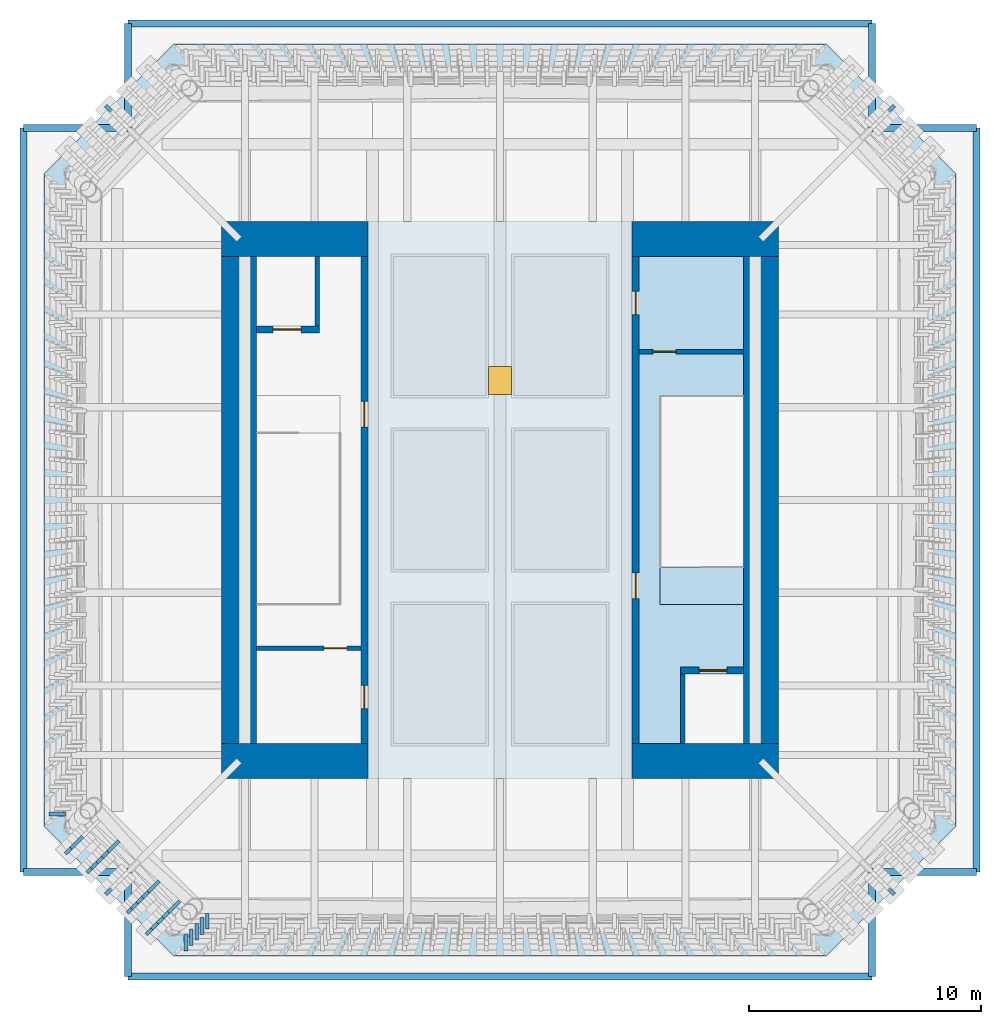
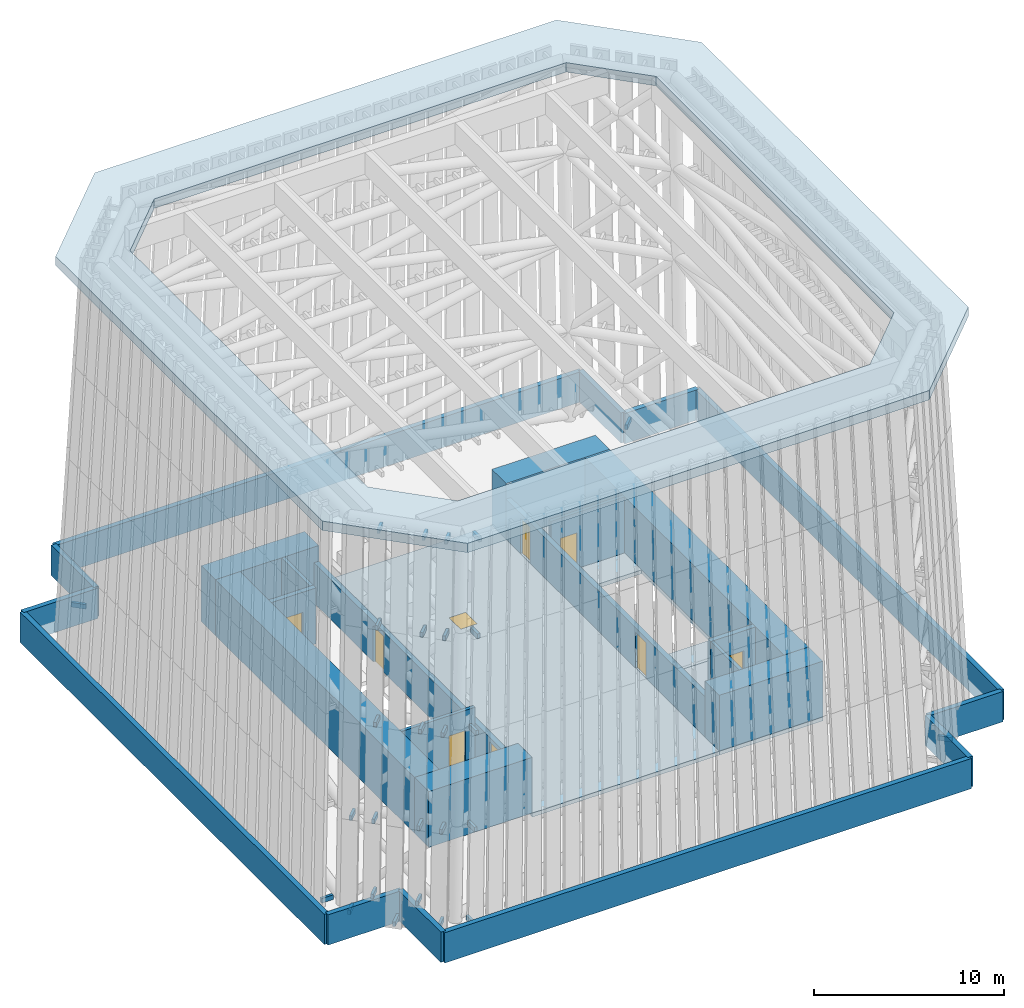
# One storey, part 3 of 13: 27 discrete accessories, 26 walls, 8 doors, 4 slabs, 1 window, 9 openings.
"""IFC4 building model written with IfcOpenShell, lengths in metres."""

from ifc_helpers import new_model, si_unit, direction, frame, frame_2d, origin, origin_2d, place, context, subcontext, project, spatial, polyline, rectangle, outline, extrude, source, transform, mapped, material, layer, layer_set, type_object, element, fill, save


model = new_model("IFC4")

# Units and contexts
model_context = context("Model", 3, precision=1e-05, world=origin(), true_north=direction((0.0, 1.0)))
body_context = subcontext(model_context, "Body", "Model", "MODEL_VIEW")
ifc_project = project(units=[si_unit("LENGTHUNIT", "METRE"), si_unit("AREAUNIT", "SQUARE_METRE"), si_unit("VOLUMEUNIT", "CUBIC_METRE"), si_unit("PLANEANGLEUNIT", "RADIAN"), si_unit("MASSUNIT", "GRAM", prefix="KILO")], contexts=[model_context])

# Site, building, storey
site_placement = place(None, origin())
site = spatial("IfcSite", under=ifc_project, at=site_placement, CompositionType="ELEMENT")
building_placement = place(site_placement, origin())
building = spatial("IfcBuilding", under=site, at=building_placement, Name="Peilmerk Tower", CompositionType="ELEMENT")
storey_placement = place(building_placement, frame((0.0, 0.0, 307.800048828125)))
storey = spatial("IfcBuildingStorey", under=building, at=storey_placement, Name="RF", CompositionType="ELEMENT", Elevation=307.800048828125)

# Slabs
ifc_material_1 = material(Name="Precast concrete C45/55", Category="concrete")
ifc_layer_1 = layer(ifc_material_1, 0.60009765625)
ifc_layer_set_1 = layer_set([ifc_layer_1], Name="Precast concrete C45/55")
slab_type_1 = type_object("IfcSlabType", Name="CR1 600 precast concrete cap ring", PredefinedType="USERDEFINED", material=ifc_layer_set_1)
slab_1_placement = place(storey_placement, frame((0.0, 0.0, 24.35546875)))
element("IfcSlab", 1, at=slab_1_placement, inside=storey, type_object=slab_type_1, Name="Crown cap ring CR1", ObjectType="CAP RING", PredefinedType="USERDEFINED", context=body_context, shape_type="SweptSolid", body=[
    extrude(outline(polyline([(14.060546875, 19.67333984375), (19.67333984375, 14.060546875), (19.67333984375, -14.060546875), (14.060546875, -19.67333984375), (-14.060546875, -19.67333984375), (-19.67333984375, -14.060546875), (-19.67333984375, 14.060546875), (-14.060546875, 19.67333984375), (14.060546875, 19.67333984375)]), holes=[polyline([(12.54638671875, 16.017822265625), (16.017822265625, 12.54638671875), (16.017822265625, -12.54638671875), (12.54638671875, -16.017822265625), (-12.54638671875, -16.017822265625), (-16.017822265625, -12.54638671875), (-16.017822265625, 12.54638671875), (-12.54638671875, 16.017822265625), (12.54638671875, 16.017822265625)])]), origin(), (0.0, 0.0, 1.0), 0.60009765625),
])
ifc_material_2 = material(Name="Concrete C55/67", Category="concrete")
ifc_layer_2 = layer(ifc_material_2, 0.25)
ifc_layer_set_2 = layer_set([ifc_layer_2], Name="Concrete C55/67")
slab_type_2 = type_object("IfcSlabType", Name="CS250 250 core floor slab", PredefinedType="FLOOR", material=ifc_layer_set_2)
slab_2_placement = place(storey_placement, frame((0.0, 0.0, -0.25)))
element("IfcSlab", 2, at=slab_2_placement, inside=storey, type_object=slab_type_2, Name="Stair 2 head-house floor slab", PredefinedType="FLOOR", context=body_context, shape_type="SweptSolid", body=[
    extrude(outline(polyline([(5.699951171875, 12.0), (5.699951171875, -12.0), (12.0, -12.0), (12.0, 12.0), (5.699951171875, 12.0)]), holes=[polyline([(6.89990234375, 4.5), (10.5, 4.5), (10.5, -4.5), (6.89990234375, -4.5), (6.89990234375, 4.5)]), polyline([(10.5, -7.5), (10.5, -10.5), (7.875, -10.5), (7.875, -7.5), (10.5, -7.5)])]), origin(), (0.0, 0.0, 1.0), 0.25),
])

# Slab, opening, window
ifc_material_3 = material(Name="Concrete C35/45", Category="concrete")
ifc_layer_3 = layer(ifc_material_3, 0.25)
ifc_layer_set_3 = layer_set([ifc_layer_3], Name="Concrete C35/45")
slab_type_3 = type_object("IfcSlabType", Name="RS250 250 roof slab", PredefinedType="ROOF", material=ifc_layer_set_3)
slab_3_placement = place(storey_placement, frame((0.0, 0.0, -0.25)))
slab_3 = element("IfcSlab", 3, at=slab_3_placement, inside=storey, type_object=slab_type_3, Name="Core roof slab", PredefinedType="ROOF", context=body_context, shape_type="SweptSolid", body=[
    extrude(outline(polyline([(5.699951171875, -12.0), (5.699951171875, 12.0), (-5.699951171875, 12.0), (-5.699951171875, -12.0), (5.699951171875, -12.0)])), origin(), (0.0, 0.0, 1.0), 0.25),
])
opening_1_placement = place(slab_3_placement, frame((0.0, 5.14990234375, 0.0)))
opening_1 = element("IfcOpeningElement", 4, at=opening_1_placement, cuts=slab_3, Name="Opening RH1", PredefinedType="OPENING", context=body_context, shape_type="SweptSolid", body=[
    extrude(rectangle(XDim=1.0, YDim=1.199951171875, at=origin_2d()), frame((0.0, 0.0, -0.010009765625)), (0.0, 0.0, 1.0), 0.27001953125),
])
ifc_material_4 = material(Name="Insulated aluminium hatch", Category="aluminium")
window_type = type_object("IfcWindowType", Name="RH1 1000x1200 roof access hatch", PartitioningType="SINGLE_PANEL", PredefinedType="NOTDEFINED", material=ifc_material_4)
window_placement = place(opening_1_placement, frame((0.0, 0.0, 0.199951171875)))
window = element("IfcWindow", 5, at=window_placement, inside=storey, type_object=window_type, Name="Roof access hatch", OverallHeight=1.199951171875, OverallWidth=1.0, PartitioningType="SINGLE_PANEL", PredefinedType="NOTDEFINED", context=body_context, shape_type="SweptSolid", body=[
    extrude(rectangle(XDim=1.0, YDim=1.199951171875, at=origin_2d()), origin(), (0.0, 0.0, 1.0), 0.050048828125),
])
fill(opening_1, window)

# Slab
ifc_layer_4 = layer(ifc_material_3, 0.25)
ifc_layer_set_4 = layer_set([ifc_layer_4], Name="Concrete C35/45")
slab_type_4 = type_object("IfcSlabType", Name="SL2 250 concrete floor landing", PredefinedType="LANDING", material=ifc_layer_set_4)
slab_4_placement = place(storey_placement, frame((0.0, 0.0, -0.25)))
element("IfcSlab", 6, at=slab_4_placement, inside=storey, type_object=slab_type_4, Name="ST2 top landing RF", PredefinedType="LANDING", context=body_context, shape_type="SweptSolid", body=[
    extrude(outline(polyline([(6.89990234375, -4.5), (10.5, -4.5), (10.5, -2.89990234375), (6.89990234375, -2.89990234375), (6.89990234375, -4.5)])), origin(), (0.0, 0.0, 1.0), 0.25),
])

# Wall, opening, door
ifc_material_5 = material(Name="Calcium silicate block", Category="masonry")
ifc_layer_5 = layer(ifc_material_5, 0.199951171875)
ifc_layer_set_5 = layer_set([ifc_layer_5], Name="Calcium silicate block")
wall_type_1 = type_object("IfcWallType", Name="IW2 200 room separating wall, EI 120", PredefinedType="PARTITIONING", material=ifc_layer_set_5)
wall_1_placement = place(storey_placement, frame((-10.5, -6.39990234375, 0.0), z_axis=(0.0, 0.0, 1.0), x_axis=(1.0, 0.0, 0.0)))
wall_1 = element("IfcWall", 7, at=wall_1_placement, inside=storey, type_object=wall_type_1, Name="Room separating wall RF", PredefinedType="PARTITIONING", context=body_context, shape_type="SweptSolid", body=[
    extrude(rectangle(XDim=4.5, YDim=0.199951171875, at=frame_2d((2.25, 0.0))), origin(), (0.0, 0.0, 1.0), 3.599853515625),
])
opening_2_placement = place(wall_1_placement, frame((2.89990234375, 0.0, 0.0)))
opening_2 = element("IfcOpeningElement", 8, at=opening_2_placement, cuts=wall_1, Name="Opening D10", PredefinedType="OPENING", context=body_context, shape_type="SweptSolid", body=[
    extrude(rectangle(XDim=1.0, YDim=2.300048828125, at=frame_2d((0.5, 1.14990234375))), frame((0.0, 0.10986328125, 0.0), z_axis=(0.0, -1.0, 0.0), x_axis=(1.0, 0.0, 0.0)), (0.0, 0.0, 1.0), 0.219970703125),
])
ifc_material_6 = material(Name="Steel door in steel frame", Category="steel")
door_type_1 = type_object("IfcDoorType", Name="D10 1000x2300 core room door, EI2 60", OperationType="SINGLE_SWING_RIGHT", PredefinedType="DOOR", material=ifc_material_6)
door_1_placement = place(opening_2_placement, frame((1.0, 0.0, 0.0), z_axis=(0.0, 0.0, 1.0), x_axis=(-1.0, 0.0, 0.0)))
door_1 = element("IfcDoor", 9, at=door_1_placement, inside=storey, type_object=door_type_1, Name="Roof plant maintenance room door RF", OperationType="SINGLE_SWING_RIGHT", OverallHeight=2.300048828125, OverallWidth=1.0, PredefinedType="DOOR", context=body_context, shape_type="SweptSolid", body=[
    extrude(rectangle(XDim=1.0, YDim=2.300048828125, at=frame_2d((0.5, 1.14990234375))), frame((0.0, 0.02490234375, 0.0), z_axis=(0.0, -1.0, 0.0), x_axis=(1.0, 0.0, 0.0)), (0.0, 0.0, 1.0), 0.050048828125),
])
fill(opening_2, door_1)

wall_2_placement = place(storey_placement, frame((6.0, 6.39990234375, 0.0), z_axis=(0.0, 0.0, 1.0), x_axis=(1.0, 0.0, 0.0)))
wall_2 = element("IfcWall", 10, at=wall_2_placement, inside=storey, type_object=wall_type_1, Name="Room separating wall RF", PredefinedType="PARTITIONING", context=body_context, shape_type="SweptSolid", body=[
    extrude(rectangle(XDim=4.5, YDim=0.199951171875, at=frame_2d((2.25, 0.0))), origin(), (0.0, 0.0, 1.0), 3.599853515625),
])
opening_3_placement = place(wall_2_placement, frame((0.60009765625, 0.0, 0.0)))
opening_3 = element("IfcOpeningElement", 11, at=opening_3_placement, cuts=wall_2, Name="Opening D10", PredefinedType="OPENING", context=body_context, shape_type="SweptSolid", body=[
    extrude(rectangle(XDim=1.0, YDim=2.300048828125, at=frame_2d((0.5, 1.14990234375))), frame((0.0, 0.10986328125, 0.0), z_axis=(0.0, -1.0, 0.0), x_axis=(1.0, 0.0, 0.0)), (0.0, 0.0, 1.0), 0.219970703125),
])
door_2_placement = place(opening_3_placement, origin())
door_2 = element("IfcDoor", 12, at=door_2_placement, inside=storey, type_object=door_type_1, Name="Roof plant maintenance room door RF", OperationType="SINGLE_SWING_RIGHT", OverallHeight=2.300048828125, OverallWidth=1.0, PredefinedType="DOOR", context=body_context, shape_type="SweptSolid", body=[
    extrude(rectangle(XDim=1.0, YDim=2.300048828125, at=frame_2d((0.5, 1.14990234375))), frame((0.0, 0.02490234375, 0.0), z_axis=(0.0, -1.0, 0.0), x_axis=(1.0, 0.0, 0.0)), (0.0, 0.0, 1.0), 0.050048828125),
])
fill(opening_3, door_2)

# Wall, openings, doors
ifc_layer_6 = layer(ifc_material_5, 0.300048828125)
ifc_layer_set_6 = layer_set([ifc_layer_6], Name="Calcium silicate block")
wall_type_2 = type_object("IfcWallType", Name="IW6 300 stair head-house inner wall, EI 120", PredefinedType="PARTITIONING", material=ifc_layer_set_6)
wall_3_placement = place(storey_placement, frame((-5.85009765625, -10.5, 0.0), z_axis=(0.0, 0.0, 1.0), x_axis=(0.0, 1.0, 0.0)))
wall_3 = element("IfcWall", 13, at=wall_3_placement, inside=storey, type_object=wall_type_2, Name="Stair 1 head-house wall RF", PredefinedType="PARTITIONING", context=body_context, shape_type="SweptSolid", body=[
    extrude(rectangle(XDim=21.0, YDim=0.300048828125, at=frame_2d((10.5, 0.0))), origin(), (0.0, 0.0, 1.0), 2.592041015625),
])
opening_4_placement = place(wall_3_placement, frame((13.64990234375, 0.0, 0.0)))
opening_4 = element("IfcOpeningElement", 14, at=opening_4_placement, cuts=wall_3, Name="Opening D4", PredefinedType="OPENING", context=body_context, shape_type="SweptSolid", body=[
    extrude(rectangle(XDim=1.10009765625, YDim=2.300048828125, at=frame_2d((0.550048828125, 1.14990234375))), frame((0.0, 0.159912109375, 0.0), z_axis=(0.0, -1.0, 0.0), x_axis=(1.0, 0.0, 0.0)), (0.0, 0.0, 1.0), 0.320068359375),
])
opening_5_placement = place(wall_3_placement, frame((1.5, 0.0, 0.0)))
opening_5 = element("IfcOpeningElement", 15, at=opening_5_placement, cuts=wall_3, Name="Opening ED6", PredefinedType="OPENING", context=body_context, shape_type="SweptSolid", body=[
    extrude(rectangle(XDim=1.0, YDim=2.300048828125, at=frame_2d((0.5, 1.14990234375))), frame((0.0, 0.159912109375, 0.0), z_axis=(0.0, -1.0, 0.0), x_axis=(1.0, 0.0, 0.0)), (0.0, 0.0, 1.0), 0.320068359375),
])
door_type_2 = type_object("IfcDoorType", Name="D4 1100x2300 stair door, EI2 60", OperationType="SINGLE_SWING_RIGHT", PredefinedType="DOOR", material=ifc_material_6)
door_3_placement = place(opening_4_placement, origin())
door_3 = element("IfcDoor", 16, at=door_3_placement, inside=storey, type_object=door_type_2, Name="Stair 1 roof door RF", OperationType="SINGLE_SWING_RIGHT", OverallHeight=2.300048828125, OverallWidth=1.10009765625, PredefinedType="DOOR", context=body_context, shape_type="SweptSolid", body=[
    extrude(rectangle(XDim=1.10009765625, YDim=2.300048828125, at=frame_2d((0.550048828125, 1.14990234375))), frame((0.0, 0.02490234375, 0.0), z_axis=(0.0, -1.0, 0.0), x_axis=(1.0, 0.0, 0.0)), (0.0, 0.0, 1.0), 0.050048828125),
])
fill(opening_4, door_3)
ifc_material_7 = material(Name="Insulated steel door in steel frame, weather-stripped, with a raised threshold", Category="steel")
door_type_3 = type_object("IfcDoorType", Name="ED6 1000x2300 roof maintenance door, weather-tight, EI2 60", OperationType="SINGLE_SWING_RIGHT", PredefinedType="DOOR", material=ifc_material_7)
door_4_placement = place(opening_5_placement, frame((1.0, 0.0, 0.0), z_axis=(0.0, 0.0, 1.0), x_axis=(-1.0, 0.0, 0.0)))
door_4 = element("IfcDoor", 17, at=door_4_placement, inside=storey, type_object=door_type_3, Name="Roof plant maintenance door RF", OperationType="SINGLE_SWING_RIGHT", OverallHeight=2.300048828125, OverallWidth=1.0, PredefinedType="DOOR", context=body_context, shape_type="SweptSolid", body=[
    extrude(rectangle(XDim=1.0, YDim=2.300048828125, at=frame_2d((0.5, 1.14990234375))), frame((0.0, 0.02490234375, 0.0), z_axis=(0.0, -1.0, 0.0), x_axis=(1.0, 0.0, 0.0)), (0.0, 0.0, 1.0), 0.050048828125),
])
fill(opening_5, door_4)

wall_4_placement = place(storey_placement, frame((5.85009765625, -10.5, 0.0), z_axis=(0.0, 0.0, 1.0), x_axis=(0.0, 1.0, 0.0)))
wall_4 = element("IfcWall", 18, at=wall_4_placement, inside=storey, type_object=wall_type_2, Name="Stair 2 head-house wall RF", PredefinedType="PARTITIONING", context=body_context, shape_type="SweptSolid", body=[
    extrude(rectangle(XDim=21.0, YDim=0.300048828125, at=frame_2d((10.5, 0.0))), origin(), (0.0, 0.0, 1.0), 2.592041015625),
])
opening_6_placement = place(wall_4_placement, frame((6.25, 0.0, 0.0)))
opening_6 = element("IfcOpeningElement", 19, at=opening_6_placement, cuts=wall_4, Name="Opening D4", PredefinedType="OPENING", context=body_context, shape_type="SweptSolid", body=[
    extrude(rectangle(XDim=1.10009765625, YDim=2.300048828125, at=frame_2d((0.550048828125, 1.14990234375))), frame((0.0, 0.159912109375, 0.0), z_axis=(0.0, -1.0, 0.0), x_axis=(1.0, 0.0, 0.0)), (0.0, 0.0, 1.0), 0.320068359375),
])
opening_7_placement = place(wall_4_placement, frame((18.5, 0.0, 0.0)))
opening_7 = element("IfcOpeningElement", 20, at=opening_7_placement, cuts=wall_4, Name="Opening ED6", PredefinedType="OPENING", context=body_context, shape_type="SweptSolid", body=[
    extrude(rectangle(XDim=1.0, YDim=2.300048828125, at=frame_2d((0.5, 1.14990234375))), frame((0.0, 0.159912109375, 0.0), z_axis=(0.0, -1.0, 0.0), x_axis=(1.0, 0.0, 0.0)), (0.0, 0.0, 1.0), 0.320068359375),
])
door_5_placement = place(opening_6_placement, frame((1.10009765625, 0.0, 0.0), z_axis=(0.0, 0.0, 1.0), x_axis=(-1.0, 0.0, 0.0)))
door_5 = element("IfcDoor", 21, at=door_5_placement, inside=storey, type_object=door_type_2, Name="Stair 2 roof door RF", OperationType="SINGLE_SWING_RIGHT", OverallHeight=2.300048828125, OverallWidth=1.10009765625, PredefinedType="DOOR", context=body_context, shape_type="SweptSolid", body=[
    extrude(rectangle(XDim=1.10009765625, YDim=2.300048828125, at=frame_2d((0.550048828125, 1.14990234375))), frame((0.0, 0.02490234375, 0.0), z_axis=(0.0, -1.0, 0.0), x_axis=(1.0, 0.0, 0.0)), (0.0, 0.0, 1.0), 0.050048828125),
])
fill(opening_6, door_5)
door_6_placement = place(opening_7_placement, origin())
door_6 = element("IfcDoor", 22, at=door_6_placement, inside=storey, type_object=door_type_3, Name="Roof plant maintenance door RF", OperationType="SINGLE_SWING_RIGHT", OverallHeight=2.300048828125, OverallWidth=1.0, PredefinedType="DOOR", context=body_context, shape_type="SweptSolid", body=[
    extrude(rectangle(XDim=1.0, YDim=2.300048828125, at=frame_2d((0.5, 1.14990234375))), frame((0.0, 0.02490234375, 0.0), z_axis=(0.0, -1.0, 0.0), x_axis=(1.0, 0.0, 0.0)), (0.0, 0.0, 1.0), 0.050048828125),
])
fill(opening_7, door_6)

# Walls
ifc_layer_7 = layer(ifc_material_1, 0.300048828125)
ifc_layer_set_7 = layer_set([ifc_layer_7], Name="Precast concrete C45/55")
wall_type_3 = type_object("IfcWallType", Name="PW1 300 precast roof parapet, 1200 above the roof", PredefinedType="PARAPET", material=ifc_layer_set_7)
for number, where, z_axis, x_axis, name in (
    (23, (16.050048828125, -20.550048828125, -0.75), (0.0, 0.0, 1.0), (0.0, 1.0, 0.0), "Roof parapet"),
    (24, (16.050048828125, -16.050048828125, -0.75), (0.0, 0.0, 1.0), (1.0, 0.0, 0.0), "Roof parapet"),
):
    element("IfcWall", number, at=place(storey_placement, frame(where, z_axis=z_axis, x_axis=x_axis)), inside=storey, type_object=wall_type_3, Name=name, PredefinedType="PARAPET", context=body_context, shape_type="SweptSolid", body=[
        extrude(rectangle(XDim=4.5, YDim=0.300048828125, at=frame_2d((2.25, 0.0))), origin(), (0.0, 0.0, 1.0), 1.949951171875),
    ])
wall_5_placement = place(storey_placement, frame((20.550048828125, -16.050048828125, -0.75), z_axis=(0.0, 0.0, 1.0), x_axis=(0.0, 1.0, 0.0)))
element("IfcWall", 25, at=wall_5_placement, inside=storey, type_object=wall_type_3, Name="Roof parapet", PredefinedType="PARAPET", context=body_context, shape_type="SweptSolid", body=[
    extrude(rectangle(XDim=32.10009765625, YDim=0.300048828125, at=frame_2d((16.050048828125, 0.0))), origin(), (0.0, 0.0, 1.0), 1.949951171875),
])
for number, where, z_axis, x_axis, name in (
    (26, (20.550048828125, 16.050048828125, -0.75), (0.0, 0.0, 1.0), (-1.0, 0.0, 0.0), "Roof parapet"),
    (27, (16.050048828125, 16.050048828125, -0.75), (0.0, 0.0, 1.0), (0.0, 1.0, 0.0), "Roof parapet"),
):
    element("IfcWall", number, at=place(storey_placement, frame(where, z_axis=z_axis, x_axis=x_axis)), inside=storey, type_object=wall_type_3, Name=name, PredefinedType="PARAPET", context=body_context, shape_type="SweptSolid", body=[
        extrude(rectangle(XDim=4.5, YDim=0.300048828125, at=frame_2d((2.25, 0.0))), origin(), (0.0, 0.0, 1.0), 1.949951171875),
    ])
wall_6_placement = place(storey_placement, frame((16.050048828125, 20.550048828125, -0.75), z_axis=(0.0, 0.0, 1.0), x_axis=(-1.0, 0.0, 0.0)))
element("IfcWall", 28, at=wall_6_placement, inside=storey, type_object=wall_type_3, Name="Roof parapet", PredefinedType="PARAPET", context=body_context, shape_type="SweptSolid", body=[
    extrude(rectangle(XDim=32.10009765625, YDim=0.300048828125, at=frame_2d((16.050048828125, 0.0))), origin(), (0.0, 0.0, 1.0), 1.949951171875),
])
for number, where, z_axis, x_axis, name in (
    (29, (-16.050048828125, 20.550048828125, -0.75), (0.0, 0.0, 1.0), (0.0, -1.0, 0.0), "Roof parapet"),
    (30, (-16.050048828125, 16.050048828125, -0.75), (0.0, 0.0, 1.0), (-1.0, 0.0, 0.0), "Roof parapet"),
):
    element("IfcWall", number, at=place(storey_placement, frame(where, z_axis=z_axis, x_axis=x_axis)), inside=storey, type_object=wall_type_3, Name=name, PredefinedType="PARAPET", context=body_context, shape_type="SweptSolid", body=[
        extrude(rectangle(XDim=4.5, YDim=0.300048828125, at=frame_2d((2.25, 0.0))), origin(), (0.0, 0.0, 1.0), 1.949951171875),
    ])
wall_7_placement = place(storey_placement, frame((-20.550048828125, 16.050048828125, -0.75), z_axis=(0.0, 0.0, 1.0), x_axis=(0.0, -1.0, 0.0)))
element("IfcWall", 31, at=wall_7_placement, inside=storey, type_object=wall_type_3, Name="Roof parapet", PredefinedType="PARAPET", context=body_context, shape_type="SweptSolid", body=[
    extrude(rectangle(XDim=32.10009765625, YDim=0.300048828125, at=frame_2d((16.050048828125, 0.0))), origin(), (0.0, 0.0, 1.0), 1.949951171875),
])
for number, where, z_axis, x_axis, name in (
    (32, (-20.550048828125, -16.050048828125, -0.75), (0.0, 0.0, 1.0), (1.0, 0.0, 0.0), "Roof parapet"),
    (33, (-16.050048828125, -16.050048828125, -0.75), (0.0, 0.0, 1.0), (0.0, -1.0, 0.0), "Roof parapet"),
):
    element("IfcWall", number, at=place(storey_placement, frame(where, z_axis=z_axis, x_axis=x_axis)), inside=storey, type_object=wall_type_3, Name=name, PredefinedType="PARAPET", context=body_context, shape_type="SweptSolid", body=[
        extrude(rectangle(XDim=4.5, YDim=0.300048828125, at=frame_2d((2.25, 0.0))), origin(), (0.0, 0.0, 1.0), 1.949951171875),
    ])
wall_8_placement = place(storey_placement, frame((-16.050048828125, -20.550048828125, -0.75), z_axis=(0.0, 0.0, 1.0), x_axis=(1.0, 0.0, 0.0)))
element("IfcWall", 34, at=wall_8_placement, inside=storey, type_object=wall_type_3, Name="Roof parapet", PredefinedType="PARAPET", context=body_context, shape_type="SweptSolid", body=[
    extrude(rectangle(XDim=32.10009765625, YDim=0.300048828125, at=frame_2d((16.050048828125, 0.0))), origin(), (0.0, 0.0, 1.0), 1.949951171875),
])
ifc_layer_8 = layer(ifc_material_5, 0.199951171875)
ifc_layer_set_8 = layer_set([ifc_layer_8], Name="Calcium silicate block")
wall_type_4 = type_object("IfcWallType", Name="SH1 200 shaft dividing wall, EI 120", PredefinedType="PARTITIONING", material=ifc_layer_set_8)
for number, where, z_axis, x_axis, name in (
    (35, (-7.875, 7.5, 0.0), (0.0, 0.0, 1.0), (0.0, 1.0, 0.0), "Shaft wall N FL1 RF"),
    (36, (7.875, -10.5, 0.0), (0.0, 0.0, 1.0), (0.0, 1.0, 0.0), "Shaft wall S FL2 RF"),
):
    element("IfcWall", number, at=place(storey_placement, frame(where, z_axis=z_axis, x_axis=x_axis)), inside=storey, type_object=wall_type_4, Name=name, PredefinedType="PARTITIONING", context=body_context, shape_type="SweptSolid", body=[
        extrude(rectangle(XDim=3.0, YDim=0.199951171875, at=frame_2d((1.5, 0.0))), origin(), (0.0, 0.0, 1.0), 3.599853515625),
    ])

# Wall, opening, door
ifc_layer_9 = layer(ifc_material_5, 0.300048828125)
ifc_layer_set_9 = layer_set([ifc_layer_9], Name="Calcium silicate block")
wall_type_5 = type_object("IfcWallType", Name="SH2 300 lift landing door panel, EI 120", PredefinedType="PARTITIONING", material=ifc_layer_set_9)
wall_9_placement = place(storey_placement, frame((-10.5, 7.35009765625, 0.0), z_axis=(0.0, 0.0, 1.0), x_axis=(1.0, 0.0, 0.0)))
wall_9 = element("IfcWall", 37, at=wall_9_placement, inside=storey, type_object=wall_type_5, Name="Lift door panel N FL1 RF", PredefinedType="PARTITIONING", context=body_context, shape_type="SweptSolid", body=[
    extrude(rectangle(XDim=2.72509765625, YDim=0.300048828125, at=frame_2d((1.362548828125, 0.0))), origin(), (0.0, 0.0, 1.0), 3.599853515625),
])
opening_8_placement = place(wall_9_placement, frame((0.71240234375, 0.0, 0.0)))
opening_8 = element("IfcOpeningElement", 38, at=opening_8_placement, cuts=wall_9, Name="Opening LD2", PredefinedType="OPENING", context=body_context, shape_type="SweptSolid", body=[
    extrude(rectangle(XDim=1.199951171875, YDim=2.300048828125, at=frame_2d((0.60009765625, 1.14990234375))), frame((0.0, 0.159912109375, 0.0), z_axis=(0.0, -1.0, 0.0), x_axis=(1.0, 0.0, 0.0)), (0.0, 0.0, 1.0), 0.320068359375),
])
ifc_material_8 = material(Name="Stainless steel landing door", Category="steel")
door_type_4 = type_object("IfcDoorType", Name="LD2 1200x2300 lift landing door, sliding, EI2 60", OperationType="SLIDING_TO_LEFT", PredefinedType="DOOR", material=ifc_material_8)
door_7_placement = place(opening_8_placement, origin())
door_7 = element("IfcDoor", 39, at=door_7_placement, inside=storey, type_object=door_type_4, Name="Lift landing door FL1 RF", OperationType="SLIDING_TO_LEFT", OverallHeight=2.300048828125, OverallWidth=1.199951171875, PredefinedType="DOOR", context=body_context, shape_type="SweptSolid", body=[
    extrude(rectangle(XDim=1.199951171875, YDim=2.300048828125, at=frame_2d((0.60009765625, 1.14990234375))), frame((0.0, 0.02490234375, 0.0), z_axis=(0.0, -1.0, 0.0), x_axis=(1.0, 0.0, 0.0)), (0.0, 0.0, 1.0), 0.050048828125),
])
fill(opening_8, door_7)

wall_10_placement = place(storey_placement, frame((7.77490234375, -7.35009765625, 0.0), z_axis=(0.0, 0.0, 1.0), x_axis=(1.0, 0.0, 0.0)))
wall_10 = element("IfcWall", 40, at=wall_10_placement, inside=storey, type_object=wall_type_5, Name="Lift door panel S FL2 RF", PredefinedType="PARTITIONING", context=body_context, shape_type="SweptSolid", body=[
    extrude(rectangle(XDim=2.72509765625, YDim=0.300048828125, at=frame_2d((1.362548828125, 0.0))), origin(), (0.0, 0.0, 1.0), 3.599853515625),
])
opening_9_placement = place(wall_10_placement, frame((0.8125, 0.0, 0.0)))
opening_9 = element("IfcOpeningElement", 41, at=opening_9_placement, cuts=wall_10, Name="Opening LD2", PredefinedType="OPENING", context=body_context, shape_type="SweptSolid", body=[
    extrude(rectangle(XDim=1.199951171875, YDim=2.300048828125, at=frame_2d((0.60009765625, 1.14990234375))), frame((0.0, 0.159912109375, 0.0), z_axis=(0.0, -1.0, 0.0), x_axis=(1.0, 0.0, 0.0)), (0.0, 0.0, 1.0), 0.320068359375),
])
door_8_placement = place(opening_9_placement, origin())
door_8 = element("IfcDoor", 42, at=door_8_placement, inside=storey, type_object=door_type_4, Name="Lift landing door FL2 RF", OperationType="SLIDING_TO_LEFT", OverallHeight=2.300048828125, OverallWidth=1.199951171875, PredefinedType="DOOR", context=body_context, shape_type="SweptSolid", body=[
    extrude(rectangle(XDim=1.199951171875, YDim=2.300048828125, at=frame_2d((0.60009765625, 1.14990234375))), frame((0.0, 0.02490234375, 0.0), z_axis=(0.0, -1.0, 0.0), x_axis=(1.0, 0.0, 0.0)), (0.0, 0.0, 1.0), 0.050048828125),
])
fill(opening_9, door_8)

# Walls
ifc_layer_10 = layer(ifc_material_2, 1.5)
ifc_layer_set_10 = layer_set([ifc_layer_10], Name="Concrete C55/67")
wall_type_6 = type_object("IfcWallType", Name="SW1 1500 core wall", PredefinedType="SHEAR", material=ifc_layer_set_10)
wall_11_placement = place(storey_placement, frame((-11.25, -10.5, 0.0), z_axis=(0.0, 0.0, 1.0), x_axis=(0.0, 1.0, 0.0)))
element("IfcWall", 43, at=wall_11_placement, inside=storey, type_object=wall_type_6, Name="Stair 1 head-house core wall RF", PredefinedType="SHEAR", context=body_context, shape_type="SweptSolid", body=[
    extrude(rectangle(XDim=21.0, YDim=1.5, at=frame_2d((10.5, 0.0))), origin(), (0.0, 0.0, 1.0), 3.599853515625),
])
for number, where, z_axis, x_axis, name in (
    (44, (-12.0, 11.25, 0.0), (0.0, 0.0, 1.0), (1.0, 0.0, 0.0), "Stair 1 head-house core wall RF"),
    (45, (-12.0, -11.25, 0.0), (0.0, 0.0, 1.0), (1.0, 0.0, 0.0), "Stair 1 head-house core wall RF"),
):
    element("IfcWall", number, at=place(storey_placement, frame(where, z_axis=z_axis, x_axis=x_axis)), inside=storey, type_object=wall_type_6, Name=name, PredefinedType="SHEAR", context=body_context, shape_type="SweptSolid", body=[
        extrude(rectangle(XDim=6.300048828125, YDim=1.5, at=frame_2d((3.14990234375, 0.0))), origin(), (0.0, 0.0, 1.0), 3.599853515625),
    ])
wall_12_placement = place(storey_placement, frame((11.25, -10.5, 0.0), z_axis=(0.0, 0.0, 1.0), x_axis=(0.0, 1.0, 0.0)))
element("IfcWall", 46, at=wall_12_placement, inside=storey, type_object=wall_type_6, Name="Stair 2 head-house core wall RF", PredefinedType="SHEAR", context=body_context, shape_type="SweptSolid", body=[
    extrude(rectangle(XDim=21.0, YDim=1.5, at=frame_2d((10.5, 0.0))), origin(), (0.0, 0.0, 1.0), 3.599853515625),
])
for number, where, z_axis, x_axis, name in (
    (47, (12.0, 11.25, 0.0), (0.0, 0.0, 1.0), (-1.0, 0.0, 0.0), "Stair 2 head-house core wall RF"),
    (48, (12.0, -11.25, 0.0), (0.0, 0.0, 1.0), (-1.0, 0.0, 0.0), "Stair 2 head-house core wall RF"),
):
    element("IfcWall", number, at=place(storey_placement, frame(where, z_axis=z_axis, x_axis=x_axis)), inside=storey, type_object=wall_type_6, Name=name, PredefinedType="SHEAR", context=body_context, shape_type="SweptSolid", body=[
        extrude(rectangle(XDim=6.300048828125, YDim=1.5, at=frame_2d((3.14990234375, 0.0))), origin(), (0.0, 0.0, 1.0), 3.599853515625),
    ])

# Discrete accessories
ifc_material_9 = material(Name="Stainless steel 1.4401", Category="steel")
discrete_accessory_type = type_object("IfcDiscreteAccessoryType", Name="BR1 stainless steel fin bracket", PredefinedType="BRACKET", material=ifc_material_9)
shared_shape_1 = source(origin(), body_context, "Body", "SweptSolid", [
    extrude(rectangle(XDim=0.720458984375, YDim=0.159912109375, at=origin_2d()), origin(), (0.0, 0.0, 1.0), 0.300048828125),
])
for number, where, z_axis, x_axis, name in (
    (49, (-13.540771484375, -19.0947265625, 0.0), (0.0, 0.0, 1.0), (0.0, -1.0, 0.0), "Crown fin bracket BR1 SE_S 24"),
    (50, (-13.314697265625, -18.85888671875, 5.85009765625), (0.0, 0.0, 1.0), (0.0, -1.0, 0.0), "Crown fin bracket BR1 SE_S 24"),
    (51, (-13.082763671875, -18.616943359375, 11.85009765625), (0.0, 0.0, 1.0), (0.0, -1.0, 0.0), "Crown fin bracket BR1 SE_S 24"),
    (52, (-12.850830078125, -18.375, 17.85009765625), (0.0, 0.0, 1.0), (0.0, -1.0, 0.0), "Crown fin bracket BR1 SE_S 24"),
    (53, (-14.99951171875, -18.4794921875, 0.0), (0.0, 0.0, 1.0), (-0.707106781187, -0.707106781187, 0.0), "Crown fin bracket BR1 SW_S 1"),
    (54, (-14.763671875, -18.24365234375, 5.85009765625), (0.0, 0.0, 1.0), (-0.707106781187, -0.707106781187, 0.0), "Crown fin bracket BR1 SW_S 1"),
    (55, (-14.521728515625, -18.001708984375, 11.85009765625), (0.0, 0.0, 1.0), (-0.707106781187, -0.707106781187, 0.0), "Crown fin bracket BR1 SW_S 1"),
    (56, (-14.27978515625, -17.759765625, 17.85009765625), (0.0, 0.0, 1.0), (-0.707106781187, -0.707106781187, 0.0), "Crown fin bracket BR1 SW_S 1"),
    (57, (-15.821044921875, -17.56103515625, 1.19970703125), (0.0, 0.0, 1.0), (-0.707106781187, -0.707106781187, 0.0), "Crown fin bracket BR1 SW_S 2"),
    (58, (-15.633544921875, -17.37353515625, 5.85009765625), (0.0, 0.0, 1.0), (-0.707106781187, -0.707106781187, 0.0), "Crown fin bracket BR1 SW_S 2"),
    (59, (-15.3916015625, -17.131591796875, 11.85009765625), (0.0, 0.0, 1.0), (-0.707106781187, -0.707106781187, 0.0), "Crown fin bracket BR1 SW_S 2"),
    (60, (-15.149658203125, -16.8896484375, 17.85009765625), (0.0, 0.0, 1.0), (-0.707106781187, -0.707106781187, 0.0), "Crown fin bracket BR1 SW_S 2"),
    (61, (-17.56103515625, -15.821044921875, 1.19970703125), (0.0, 0.0, 1.0), (-0.707106781187, -0.707106781187, 0.0), "Crown fin bracket BR1 SW_S 4"),
    (62, (-17.37353515625, -15.633544921875, 5.85009765625), (0.0, 0.0, 1.0), (-0.707106781187, -0.707106781187, 0.0), "Crown fin bracket BR1 SW_S 4"),
    (63, (-17.131591796875, -15.3916015625, 11.85009765625), (0.0, 0.0, 1.0), (-0.707106781187, -0.707106781187, 0.0), "Crown fin bracket BR1 SW_S 4"),
    (64, (-16.8896484375, -15.149658203125, 17.85009765625), (0.0, 0.0, 1.0), (-0.707106781187, -0.707106781187, 0.0), "Crown fin bracket BR1 SW_S 4"),
    (65, (-18.4794921875, -14.99951171875, 0.0), (0.0, 0.0, 1.0), (-0.707106781187, -0.707106781187, 0.0), "Crown fin bracket BR1 SW_S 5"),
    (66, (-18.24365234375, -14.763671875, 5.85009765625), (0.0, 0.0, 1.0), (-0.707106781187, -0.707106781187, 0.0), "Crown fin bracket BR1 SW_S 5"),
    (67, (-19.0947265625, -13.540771484375, 0.0), (0.0, 0.0, 1.0), (-1.0, 0.0, 0.0), "Crown fin bracket BR1 SW_W 1"),
):
    element("IfcDiscreteAccessory", number, at=place(storey_placement, frame(where, z_axis=z_axis, x_axis=x_axis)), inside=storey, type_object=discrete_accessory_type, Name=name, PredefinedType="BRACKET", context=body_context, shape_type="MappedRepresentation", body=[
        mapped(shared_shape_1, transform((0.0, 0.0, 0.0), scale=1.0)),
    ])
shared_shape_2 = source(origin(), body_context, "Body", "SweptSolid", [
    extrude(rectangle(XDim=0.669921875, YDim=0.159912109375, at=origin_2d()), origin(), (0.0, 0.0, 1.0), 0.300048828125),
])
for number, where, z_axis, x_axis, name in (
    (68, (-12.619140625, -18.158203125, 23.85009765625), (0.0, 0.0, 1.0), (0.0, -1.0, 0.0), "Crown fin bracket BR1 SE_S 24"),
    (69, (-14.0556640625, -17.53564453125, 23.85009765625), (0.0, 0.0, 1.0), (-0.707106781187, -0.707106781187, 0.0), "Crown fin bracket BR1 SW_S 1"),
    (70, (-14.925537109375, -16.66552734375, 23.85009765625), (0.0, 0.0, 1.0), (-0.707106781187, -0.707106781187, 0.0), "Crown fin bracket BR1 SW_S 2"),
    (71, (-16.66552734375, -14.925537109375, 23.85009765625), (0.0, 0.0, 1.0), (-0.707106781187, -0.707106781187, 0.0), "Crown fin bracket BR1 SW_S 4"),
):
    element("IfcDiscreteAccessory", number, at=place(storey_placement, frame(where, z_axis=z_axis, x_axis=x_axis)), inside=storey, type_object=discrete_accessory_type, Name=name, PredefinedType="BRACKET", context=body_context, shape_type="MappedRepresentation", body=[
        mapped(shared_shape_2, transform((0.0, 0.0, 0.0), scale=1.0)),
    ])
shared_shape_3 = source(origin(), body_context, "Body", "SweptSolid", [
    extrude(rectangle(XDim=0.798583984375, YDim=0.159912109375, at=origin_2d()), origin(), (0.0, 0.0, 1.0), 0.300048828125),
])
for number, where, z_axis, x_axis, name in (
    (72, (16.72412109375, 16.72412109375, -0.30029296875), (0.0, 0.0, 1.0), (0.707106781187, 0.707106781187, 0.0), "Crown fin bracket BR1 NE_N 3"),
    (73, (16.72412109375, -16.72412109375, -0.30029296875), (0.0, 0.0, 1.0), (0.707106781187, -0.707106781187, 0.0), "Crown fin bracket BR1 SE_E 3"),
    (74, (-16.72412109375, -16.72412109375, -0.30029296875), (0.0, 0.0, 1.0), (-0.707106781187, -0.707106781187, 0.0), "Crown fin bracket BR1 SW_S 3"),
    (75, (-16.72412109375, 16.72412109375, -0.30029296875), (0.0, 0.0, 1.0), (-0.707106781187, 0.707106781187, 0.0), "Crown fin bracket BR1 NW_W 3"),
):
    element("IfcDiscreteAccessory", number, at=place(storey_placement, frame(where, z_axis=z_axis, x_axis=x_axis)), inside=storey, type_object=discrete_accessory_type, Name=name, PredefinedType="BRACKET", context=body_context, shape_type="MappedRepresentation", body=[
        mapped(shared_shape_3, transform((0.0, 0.0, 0.0), scale=1.0)),
    ])

save(model, "model.ifc")
